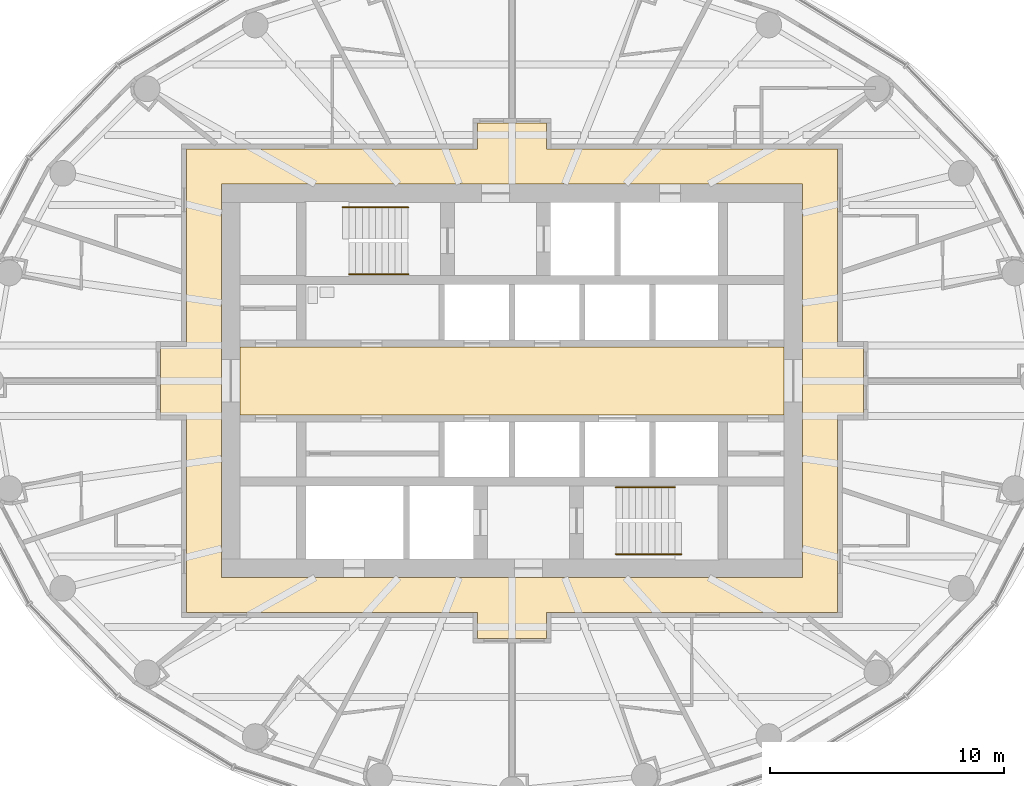
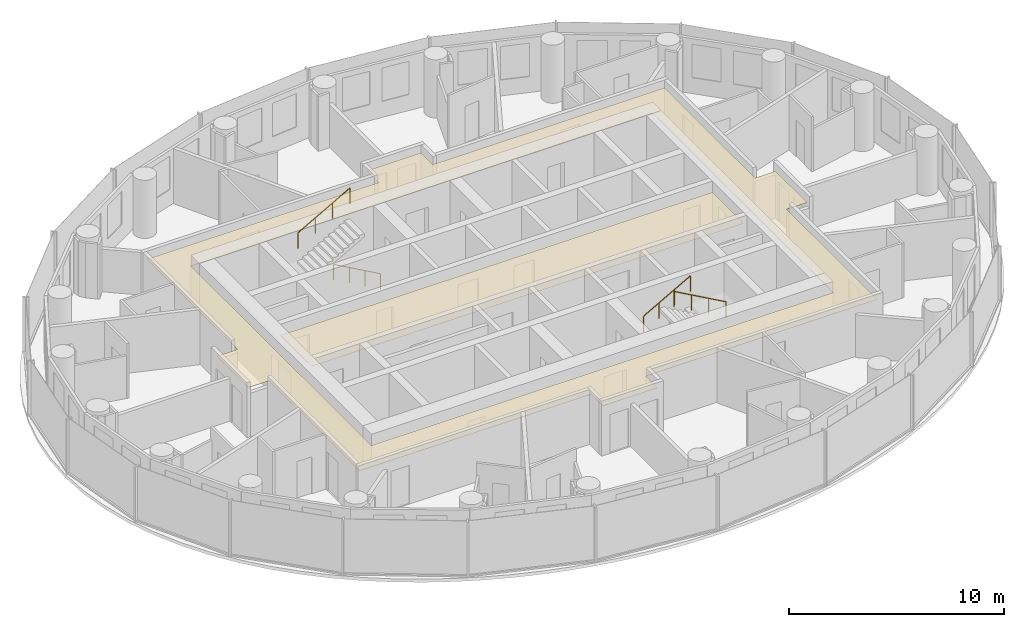
# One storey, part 15 of 16: 4 railings, 2 coverings.
"""IFC4 building model written with IfcOpenShell, lengths in metres."""

import ifcopenshell
import ifcopenshell.guid

model = None  # the IFC model being written
_history = None  # IfcOwnerHistory: only IFC2X3 demands one
_inside = {}  # id of a spatial element -> (the spatial element, [elements in it])
_under = {}  # id of a project, library or spatial element -> (it, [spatial elements below it])
_declared = {}  # id of a project -> (the project, [libraries it declares])
_typed = {}  # id of a type object -> (the type object, [elements of that type])
_made_of = {}  # id of a material, layer set ... -> (it, [elements and type objects made of it])


def new_model(schema):
    """Start an empty IFC model of exactly this schema.

    Asked for "IFC4X3", IfcOpenShell would pick the latest addendum, in which some entities
    have other attributes; the version numbers below select the first issue.
    IFC2X3 requires an IfcOwnerHistory on every rooted entity: one is made here for all.
    """
    global model, _history
    if schema == "IFC4X3":
        model = ifcopenshell.file(schema_version=(4, 3, 0, 0))
    else:
        model = ifcopenshell.file(schema=schema)
    _inside.clear()
    _under.clear()
    _declared.clear()
    _typed.clear()
    _made_of.clear()
    _history = None
    if model.schema == "IFC2X3":
        org = make("IfcOrganization", Name="unknown")
        user = make(
            "IfcPersonAndOrganization",
            ThePerson=make("IfcPerson", FamilyName="unknown"),
            TheOrganization=org,
        )
        app = make(
            "IfcApplication",
            ApplicationDeveloper=org,
            Version="unknown",
            ApplicationFullName="unknown",
            ApplicationIdentifier="unknown",
        )
        _history = make(
            "IfcOwnerHistory",
            OwningUser=user,
            OwningApplication=app,
            ChangeAction="ADDED",
            CreationDate=0,
        )
    return model


def make(cls, **values):
    """One entity of the class cls with the attributes given. An attribute that is None is left unset."""
    return model.create_entity(
        cls, **{name: value for name, value in values.items() if value is not None}
    )


def rooted(cls, **values):
    """An entity with a GlobalId (a new one), such as an element, a storey or a relation."""
    return make(cls, GlobalId=ifcopenshell.guid.new(), OwnerHistory=_history, **values)


def si_unit(unit_type, name, prefix=None):
    """IfcSIUnit, for example si_unit("LENGTHUNIT", "METRE", prefix="MILLI")."""
    return make("IfcSIUnit", UnitType=unit_type, Prefix=prefix, Name=name)


def assignment(units):
    """IfcUnitAssignment: the units of a project."""
    return None if units is None else make("IfcUnitAssignment", Units=units)


def point(xyz):
    """IfcCartesianPoint."""
    return None if xyz is None else make("IfcCartesianPoint", Coordinates=xyz)


def direction(xyz):
    """IfcDirection."""
    return None if xyz is None else make("IfcDirection", DirectionRatios=xyz)


def frame(location, z_axis=None, x_axis=None):
    """IfcAxis2Placement3D, a coordinate frame: its origin and axes. An axis left out is left unset."""
    return make(
        "IfcAxis2Placement3D",
        Location=point(location),
        Axis=direction(z_axis),
        RefDirection=direction(x_axis),
    )


def frame_2d(location, x_axis=None):
    """IfcAxis2Placement2D, a coordinate frame in the plane: its origin and x axis."""
    return make(
        "IfcAxis2Placement2D", Location=point(location), RefDirection=direction(x_axis)
    )


def origin():
    """The frame at (0, 0, 0) with its axes left unset."""
    return frame((0.0, 0.0, 0.0))


def origin_2d():
    """The frame at (0, 0) in the plane with its x axis left unset."""
    return frame_2d((0.0, 0.0))


def place(relative_to, where):
    """IfcLocalPlacement: puts the frame where relative to a parent placement (None: the world)."""
    return make(
        "IfcLocalPlacement", PlacementRelTo=relative_to, RelativePlacement=where
    )


def context(
    kind, dimensions, precision=None, world=None, true_north=None, identifier=None
):
    """IfcGeometricRepresentationContext, for example the 3D "Model" context."""
    return make(
        "IfcGeometricRepresentationContext",
        ContextIdentifier=identifier,
        ContextType=kind,
        CoordinateSpaceDimension=dimensions,
        Precision=precision,
        WorldCoordinateSystem=world,
        TrueNorth=true_north,
    )


def subcontext(parent, identifier, kind, view, scale=None):
    """IfcGeometricRepresentationSubContext, for example "Body" below "Model"."""
    return make(
        "IfcGeometricRepresentationSubContext",
        ContextIdentifier=identifier,
        ContextType=kind,
        ParentContext=parent,
        TargetScale=scale,
        TargetView=view,
    )


def project(units=None, contexts=None):
    """IfcProject with its units and contexts."""
    return rooted(
        "IfcProject",
        Name="project",
        RepresentationContexts=contexts,
        UnitsInContext=assignment(units),
    )


def spatial(cls, under=None, at=None, **own):
    """A site, building, storey or space (cls), placed at a placement, below another one or the project."""
    s = rooted(cls, ObjectPlacement=at, **own)
    if under is not None:
        _under.setdefault(under.id(), (under, []))[1].append(s)
    return s


def polyline(points):
    """IfcPolyline through the points."""
    return make("IfcPolyline", Points=[point(p) for p in points])


def profile(cls, at=None, kind="AREA", **sizes):
    """A parametric profile (cls). Its sizes go by their IFC names, for example OverallWidth=200.0."""
    return make(cls, ProfileType=kind, Position=at, **sizes)


def circle(**sizes):
    """IfcCircleProfileDef."""
    return profile("IfcCircleProfileDef", **sizes)


def outline(outer, holes=None, kind="AREA"):
    """IfcArbitraryClosedProfileDef: a profile drawn as a closed curve; with holes, ...WithVoids."""
    if holes is None:
        return make("IfcArbitraryClosedProfileDef", ProfileType=kind, OuterCurve=outer)
    return make(
        "IfcArbitraryProfileDefWithVoids",
        ProfileType=kind,
        OuterCurve=outer,
        InnerCurves=holes,
    )


def extrude(swept, where, along, depth):
    """IfcExtrudedAreaSolid: the profile swept, set in the frame where, extruded along a direction by depth."""
    return make(
        "IfcExtrudedAreaSolid",
        SweptArea=swept,
        Position=where,
        ExtrudedDirection=direction(along),
        Depth=depth,
    )


def shape(context_of_items, identifier, shape_type, items):
    """IfcShapeRepresentation: the items that make up one representation, for example the "Body"."""
    return make(
        "IfcShapeRepresentation",
        ContextOfItems=context_of_items,
        RepresentationIdentifier=identifier,
        RepresentationType=shape_type,
        Items=items,
    )


def material(Name=None, Category=None):
    """IfcMaterial."""
    return make("IfcMaterial", Name=Name, Category=Category)


def layer(
    of_material, thickness, ventilated=None, Name=None, Category=None, Priority=None
):
    """IfcMaterialLayer: one layer of a wall or slab, of a material (None: an air gap)."""
    return make(
        "IfcMaterialLayer",
        Material=of_material,
        LayerThickness=thickness,
        IsVentilated=ventilated,
        Name=Name,
        Category=Category,
        Priority=Priority,
    )


def layer_set(layers, Name=None):
    """IfcMaterialLayerSet."""
    return make("IfcMaterialLayerSet", MaterialLayers=layers, LayerSetName=Name)


def made_of(thing, what):
    """Note that an element or type object is made of a material, layer set ...; save() writes the relation."""
    if what is not None:
        _made_of.setdefault(what.id(), (what, []))[1].append(thing)
    return thing


def type_object(cls, material=None, **own):
    """A type object (cls), such as IfcWallType, which elements share."""
    return made_of(rooted(cls, **own), material)


def element(
    cls,
    number,
    at=None,
    inside=None,
    cuts=None,
    type_object=None,
    material=None,
    context=None,
    identifier="Body",
    shape_type=None,
    held_by="IfcProductDefinitionShape",
    body=None,
    shapes=None,
    **own,
):
    """One element of the class cls, such as IfcWall. Its Tag is "e" and its number.

    at: its placement. inside: the storey or other place that contains it. cuts: it is an
    opening in that element (IfcRelVoidsElement). A single representation is given by context,
    identifier, shape_type and body (its items); several are given by shapes. held_by: the class
    of the entity that holds the representations. save() writes the other relations.
    """
    e = rooted(cls, Tag="e%d" % number, ObjectPlacement=at, **own)
    if body is not None:
        shapes = [shape(context, identifier, shape_type, body)]
    if shapes is not None:
        e.Representation = make(held_by, Representations=shapes)
    if inside is not None:
        _inside.setdefault(inside.id(), (inside, []))[1].append(e)
    if cuts is not None:
        rooted(
            "IfcRelVoidsElement", RelatingBuildingElement=cuts, RelatedOpeningElement=e
        )
    if type_object is not None:
        _typed.setdefault(type_object.id(), (type_object, []))[1].append(e)
    return made_of(e, material)


def aggregate(whole, parts):
    """IfcRelAggregates: a whole, such as a stair, and the parts it consists of."""
    return rooted("IfcRelAggregates", RelatingObject=whole, RelatedObjects=parts)


def save(model, path):
    """Write the relations noted so far, then the file.

    IfcRelAggregates (storeys below a building ...), IfcRelContainedInSpatialStructure (elements
    in a storey), IfcRelDefinesByType, IfcRelAssociatesMaterial and IfcRelDeclares: one each for
    every whole, place, type object, material and project.
    """
    for whole, parts in _under.values():
        aggregate(whole, parts)
    for where, things in _inside.values():
        rooted(
            "IfcRelContainedInSpatialStructure",
            RelatedElements=things,
            RelatingStructure=where,
        )
    for kind, things in _typed.values():
        rooted("IfcRelDefinesByType", RelatedObjects=things, RelatingType=kind)
    for what, things in _made_of.values():
        rooted("IfcRelAssociatesMaterial", RelatedObjects=things, RelatingMaterial=what)
    for by, libraries in _declared.values():
        rooted("IfcRelDeclares", RelatingContext=by, RelatedDefinitions=libraries)
    model.write(path)


model = new_model("IFC4")

# Units and contexts
model_context = context("Model", 3, precision=1e-05, world=origin(), true_north=direction((0.0, 1.0)))
body_context = subcontext(model_context, "Body", "Model", "MODEL_VIEW")
ifc_project = project(units=[si_unit("LENGTHUNIT", "METRE"), si_unit("AREAUNIT", "SQUARE_METRE"), si_unit("VOLUMEUNIT", "CUBIC_METRE"), si_unit("PLANEANGLEUNIT", "RADIAN"), si_unit("MASSUNIT", "GRAM", prefix="KILO")], contexts=[model_context])

# Site, building, storey
site_placement = place(None, origin())
site = spatial("IfcSite", under=ifc_project, at=site_placement, CompositionType="ELEMENT")
building_placement = place(site_placement, origin())
building = spatial("IfcBuilding", under=site, at=building_placement, Name="Hankou Lantern Tower", CompositionType="ELEMENT")
storey_placement = place(building_placement, frame((0.0, 0.0, 146.699951171875)))
storey = spatial("IfcBuildingStorey", under=building, at=storey_placement, Name="L38", CompositionType="ELEMENT", Elevation=146.699951171875)

# Coverings
ifc_material_1 = material(Name="Black painted aluminium linear ceiling panels", Category="aluminium")
ifc_layer_1 = layer(ifc_material_1, 0.02490234375)
ifc_layer_set_1 = layer_set([ifc_layer_1], Name="Black painted aluminium linear ceiling panels")
covering_type_1 = type_object("IfcCoveringType", Name="CL1 CORRIDOR CEILING 25", PredefinedType="CEILING", material=ifc_layer_set_1)
covering_1_placement = place(storey_placement, frame((0.0, 0.0, 2.64501953125)))
element("IfcCovering", 1, at=covering_1_placement, inside=storey, type_object=covering_type_1, Name="Corridor ceiling L38", PredefinedType="CEILING", context=body_context, shape_type="SweptSolid", body=[
    extrude(outline(polyline([(1.469970703125, -11.0), (1.469970703125, -9.89990234375), (13.89990234375, -9.89990234375), (13.89990234375, -1.469970703125), (15.0, -1.469970703125), (15.0, 1.469970703125), (13.89990234375, 1.469970703125), (13.89990234375, 9.89990234375), (1.469970703125, 9.89990234375), (1.469970703125, 11.0), (-1.469970703125, 11.0), (-1.469970703125, 9.89990234375), (-13.89990234375, 9.89990234375), (-13.89990234375, 1.469970703125), (-15.0, 1.469970703125), (-15.0, -1.469970703125), (-13.89990234375, -1.469970703125), (-13.89990234375, -9.89990234375), (-1.469970703125, -9.89990234375), (-1.469970703125, -11.0), (1.469970703125, -11.0)]), holes=[polyline([(-12.39990234375, 8.39990234375), (12.39990234375, 8.39990234375), (12.39990234375, -8.39990234375), (-12.39990234375, -8.39990234375), (-12.39990234375, 8.39990234375)])]), origin(), (0.0, 0.0, 1.0), 0.025146484375),
])
ifc_material_2 = material(Name="Perforated black aluminium acoustic tray ceiling", Category="aluminium")
ifc_layer_2 = layer(ifc_material_2, 0.014892578125)
ifc_layer_set_2 = layer_set([ifc_layer_2], Name="Perforated black aluminium acoustic tray ceiling")
covering_type_2 = type_object("IfcCoveringType", Name="CL2 LIFT LOBBY CEILING 15", PredefinedType="CEILING", material=ifc_layer_set_2)
covering_2_placement = place(storey_placement, frame((0.0, 0.0, 2.655029296875)))
element("IfcCovering", 2, at=covering_2_placement, inside=storey, type_object=covering_type_2, Name="Lift lobby ceiling L38", PredefinedType="CEILING", context=body_context, shape_type="SweptSolid", body=[
    extrude(outline(polyline([(-11.60009765625, -1.449951171875), (11.60009765625, -1.449951171875), (11.60009765625, 1.449951171875), (-11.60009765625, 1.449951171875), (-11.60009765625, -1.449951171875)])), origin(), (0.0, 0.0, 1.0), 0.01513671875),
])

# Railings
ifc_material_3 = material(Name="Steel handrail", Category="steel")
railing_type = type_object("IfcRailingType", Name="HR1 STAIR HANDRAIL", PredefinedType="HANDRAIL", material=ifc_material_3)
railing_1_placement = place(storey_placement, frame((-4.429931640625, 4.550048828125, 0.900146484375)))
element("IfcRailing", 3, at=railing_1_placement, inside=storey, type_object=railing_type, Name="Handrail stair STA L38 flight 1", PredefinedType="HANDRAIL", context=body_context, shape_type="SweptSolid", body=[
    extrude(circle(Radius=0.02392578125, at=origin_2d()), frame((0.0, 0.0, 0.8759765625), z_axis=(-0.872048945198, 0.0, 0.489418672692), x_axis=(0.0, -1.0, 0.0)), (0.0, 0.0, 1.0), 2.8896484375),
    extrude(circle(Radius=0.02099609375, at=origin_2d()), origin(), (0.0, 0.0, 1.0), 0.851806640625),
    extrude(circle(Radius=0.02099609375, at=origin_2d()), frame((-0.840087890625, 0.0, 0.471435546875)), (0.0, 0.0, 1.0), 0.851806640625),
    extrude(circle(Radius=0.02099609375, at=origin_2d()), frame((-1.679931640625, 0.0, 0.94287109375)), (0.0, 0.0, 1.0), 0.851806640625),
    extrude(circle(Radius=0.02099609375, at=origin_2d()), frame((-2.52001953125, 0.0, 1.414306640625)), (0.0, 0.0, 1.0), 0.851806640625),
])
railing_2_placement = place(storey_placement, frame((-7.22998046875, 7.39990234375, 2.471435546875)))
element("IfcRailing", 4, at=railing_2_placement, inside=storey, type_object=railing_type, Name="Handrail stair STA L38 flight 2", PredefinedType="HANDRAIL", context=body_context, shape_type="SweptSolid", body=[
    extrude(circle(Radius=0.02392578125, at=origin_2d()), frame((0.0, 0.0, 0.8759765625), z_axis=(0.872040151574, 0.0, 0.489434340891), x_axis=(0.0, 1.0, 0.0)), (0.0, 0.0, 1.0), 3.2109375),
    extrude(circle(Radius=0.02099609375, at=origin_2d()), origin(), (0.0, 0.0, 1.0), 0.851806640625),
    extrude(circle(Radius=0.02099609375, at=origin_2d()), frame((0.933349609375, 0.0, 0.52392578125)), (0.0, 0.0, 1.0), 0.851806640625),
    extrude(circle(Radius=0.02099609375, at=origin_2d()), frame((1.86669921875, 0.0, 1.047607421875)), (0.0, 0.0, 1.0), 0.851806640625),
    extrude(circle(Radius=0.02099609375, at=origin_2d()), frame((2.800048828125, 0.0, 1.571533203125)), (0.0, 0.0, 1.0), 0.851806640625),
])
railing_3_placement = place(storey_placement, frame((4.429931640625, -4.550048828125, 0.900146484375)))
element("IfcRailing", 5, at=railing_3_placement, inside=storey, type_object=railing_type, Name="Handrail stair STB L38 flight 1", PredefinedType="HANDRAIL", context=body_context, shape_type="SweptSolid", body=[
    extrude(circle(Radius=0.02392578125, at=origin_2d()), frame((0.0, 0.0, 0.8759765625), z_axis=(0.872048945198, 0.0, 0.489418672692), x_axis=(0.0, 1.0, 0.0)), (0.0, 0.0, 1.0), 2.8896484375),
    extrude(circle(Radius=0.02099609375, at=origin_2d()), origin(), (0.0, 0.0, 1.0), 0.851806640625),
    extrude(circle(Radius=0.02099609375, at=origin_2d()), frame((0.840087890625, 0.0, 0.471435546875)), (0.0, 0.0, 1.0), 0.851806640625),
    extrude(circle(Radius=0.02099609375, at=origin_2d()), frame((1.679931640625, 0.0, 0.94287109375)), (0.0, 0.0, 1.0), 0.851806640625),
    extrude(circle(Radius=0.02099609375, at=origin_2d()), frame((2.52001953125, 0.0, 1.414306640625)), (0.0, 0.0, 1.0), 0.851806640625),
])
railing_4_placement = place(storey_placement, frame((7.22998046875, -7.39990234375, 2.471435546875)))
element("IfcRailing", 6, at=railing_4_placement, inside=storey, type_object=railing_type, Name="Handrail stair STB L38 flight 2", PredefinedType="HANDRAIL", context=body_context, shape_type="SweptSolid", body=[
    extrude(circle(Radius=0.02392578125, at=origin_2d()), frame((0.0, 0.0, 0.8759765625), z_axis=(-0.872040151574, 0.0, 0.489434340891), x_axis=(0.0, -1.0, 0.0)), (0.0, 0.0, 1.0), 3.2109375),
    extrude(circle(Radius=0.02099609375, at=origin_2d()), origin(), (0.0, 0.0, 1.0), 0.851806640625),
    extrude(circle(Radius=0.02099609375, at=origin_2d()), frame((-0.933349609375, 0.0, 0.52392578125)), (0.0, 0.0, 1.0), 0.851806640625),
    extrude(circle(Radius=0.02099609375, at=origin_2d()), frame((-1.86669921875, 0.0, 1.047607421875)), (0.0, 0.0, 1.0), 0.851806640625),
    extrude(circle(Radius=0.02099609375, at=origin_2d()), frame((-2.800048828125, 0.0, 1.571533203125)), (0.0, 0.0, 1.0), 0.851806640625),
])

save(model, "model.ifc")
